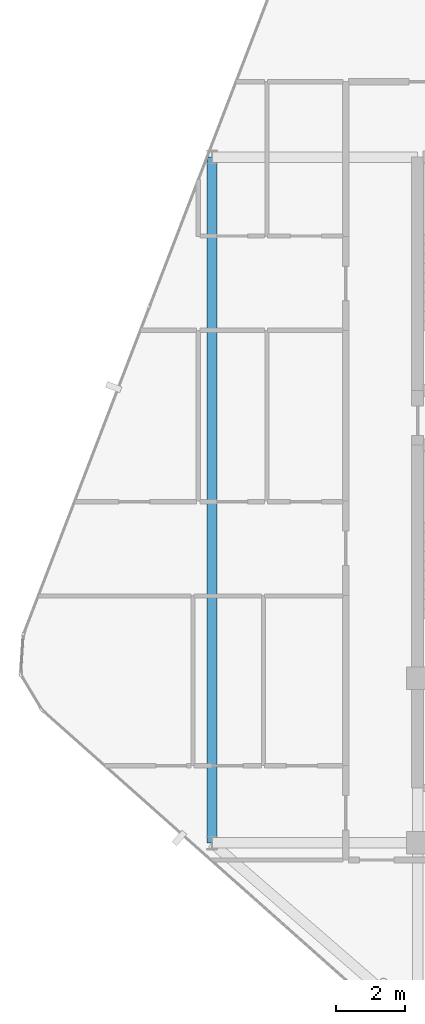
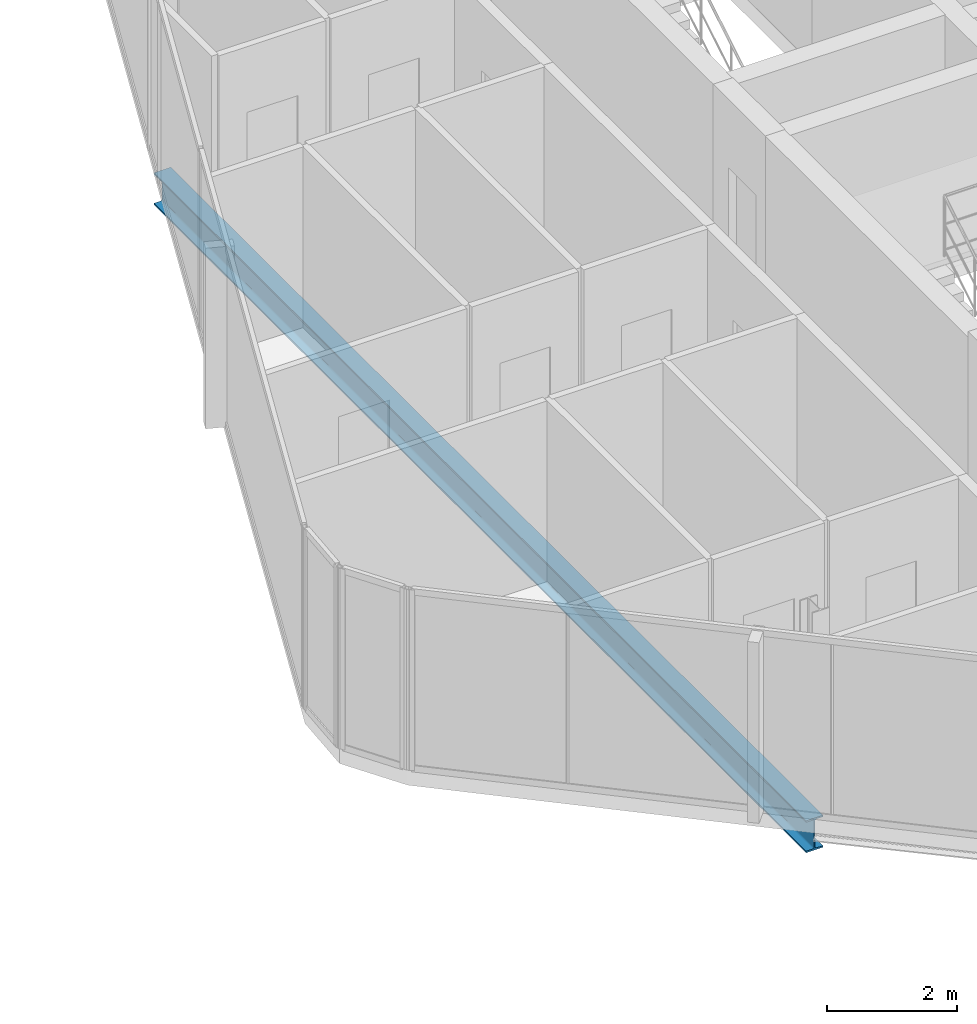
# One storey, part 9 of 27: 1 beam.
"""IFC4 building model written with IfcOpenShell, lengths in metres."""

from ifc_helpers import new_model, si_unit, direction, frame, origin, origin_2d, place, context, subcontext, project, spatial, i_section, extrude, material, material_profile, profile_set, type_object, element, save


model = new_model("IFC4")

# Units and contexts
model_context = context("Model", 3, precision=1e-05, world=origin(), true_north=direction((0.0, 1.0)))
body_context = subcontext(model_context, "Body", "Model", "MODEL_VIEW")
ifc_project = project(units=[si_unit("LENGTHUNIT", "METRE"), si_unit("AREAUNIT", "SQUARE_METRE"), si_unit("VOLUMEUNIT", "CUBIC_METRE"), si_unit("PLANEANGLEUNIT", "RADIAN"), si_unit("MASSUNIT", "GRAM", prefix="KILO")], contexts=[model_context])

# Site, building, storey
site_placement = place(None, origin())
site = spatial("IfcSite", under=ifc_project, at=site_placement, CompositionType="ELEMENT")
building_placement = place(site_placement, origin())
building = spatial("IfcBuilding", under=site, at=building_placement, Name="Keshet Zoharim Tower", CompositionType="ELEMENT")
storey_placement = place(building_placement, frame((0.0, 0.0, 295.39990234375)))
storey = spatial("IfcBuildingStorey", under=building, at=storey_placement, Name="L74", CompositionType="ELEMENT", Elevation=295.39990234375)

# Beam
ifc_material = material(Name="Steel S355", Category="steel")
ifc_material_profile = material_profile(ifc_material, i_section(OverallWidth=0.300048828125, OverallDepth=0.60009765625, WebThickness=0.015380859375, FlangeThickness=0.030029296875, FilletRadius=0.027099609375, at=origin_2d()), Name="HEB600")
ifc_profile_set = profile_set([ifc_material_profile], Name="Steel S355")
beam_type = type_object("IfcBeamType", Name="BM-LNG-HB600", PredefinedType="BEAM", material=ifc_profile_set)
beam_placement = place(storey_placement, frame((9.0, 17.89990234375, -0.60986328125), z_axis=(0.0, 1.0, 0.0), x_axis=(-1.0, 0.0, 0.0)))
element("IfcBeam", 1, at=beam_placement, inside=storey, type_object=beam_type, Name="L74 Primary Girder Y-001", PredefinedType="BEAM", context=body_context, shape_type="SweptSolid", body=[
    extrude(i_section(OverallWidth=0.300048828125, OverallDepth=0.60009765625, WebThickness=0.015380859375, FlangeThickness=0.030029296875, FilletRadius=0.027099609375, at=origin_2d()), origin(), (0.0, 0.0, 1.0), 20.0),
])

save(model, "model.ifc")
